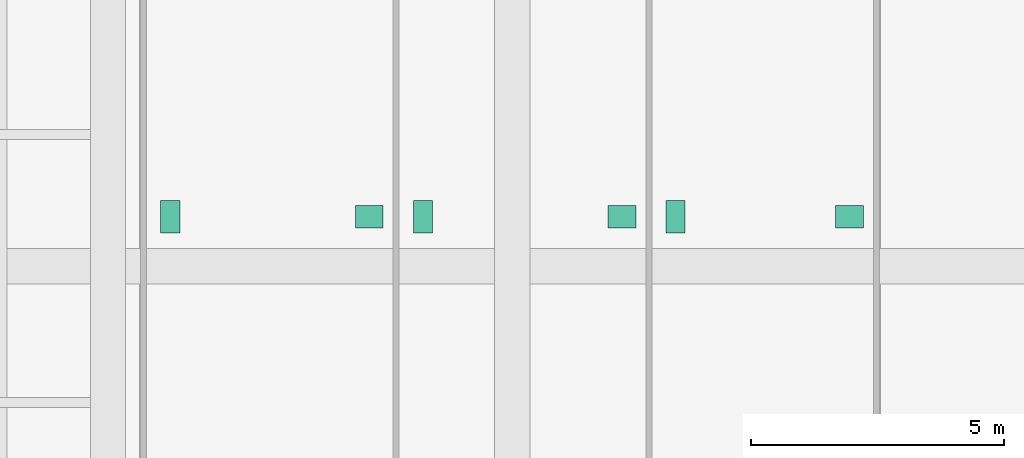
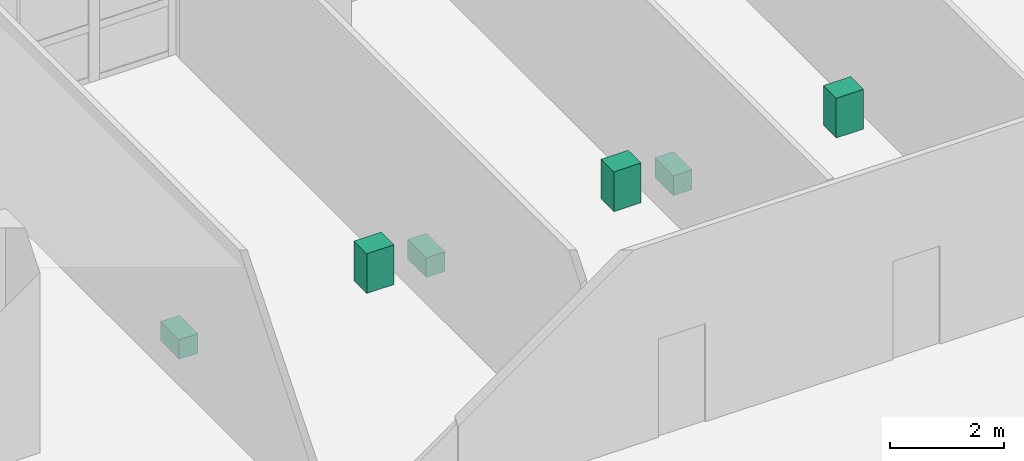
# One storey, part 15 of 15: 6 sanitary terminals.
"""IFC4 building model written with IfcOpenShell, lengths in metres."""

from ifc_helpers import new_model, si_unit, direction, frame, origin, origin_2d, place, context, subcontext, project, spatial, rectangle, extrude, material, type_object, element, save


model = new_model("IFC4")

# Units and contexts
model_context = context("Model", 3, precision=1e-05, world=origin(), true_north=direction((0.0, 1.0)))
body_context = subcontext(model_context, "Body", "Model", "MODEL_VIEW")
ifc_project = project(units=[si_unit("LENGTHUNIT", "METRE"), si_unit("AREAUNIT", "SQUARE_METRE"), si_unit("VOLUMEUNIT", "CUBIC_METRE"), si_unit("PLANEANGLEUNIT", "RADIAN"), si_unit("MASSUNIT", "GRAM", prefix="KILO")], contexts=[model_context])

# Site, building, storey
site_placement = place(None, origin())
site = spatial("IfcSite", under=ifc_project, at=site_placement, CompositionType="ELEMENT")
building_placement = place(site_placement, origin())
building = spatial("IfcBuilding", under=site, at=building_placement, Name="Kranthara Brick Stack", CompositionType="ELEMENT")
storey_placement = place(building_placement, frame((0.0, 0.0, 9.89990234375)))
storey = spatial("IfcBuildingStorey", under=building, at=storey_placement, Name="L02", CompositionType="ELEMENT", Elevation=9.89990234375)

# Sanitary terminals
ifc_material_1 = material(Name="Vitreous china sanitary porcelain", Category="other")
sanitary_terminal_type_1 = type_object("IfcSanitaryTerminalType", Name="SAN-BASIN", PredefinedType="WASHHANDBASIN", material=ifc_material_1)
for number, where, z_axis, x_axis, name in (
    (1, (17.969970703125, 44.875, 0.0), (0.0, 0.0, 1.0), (1.0, 0.0, 0.0), "L02 Washbasin 7"),
    (2, (22.969970703125, 44.875, 0.0), (0.0, 0.0, 1.0), (1.0, 0.0, 0.0), "L02 Washbasin 8"),
    (3, (27.469970703125, 44.875, 0.0), (0.0, 0.0, 1.0), (1.0, 0.0, 0.0), "L02 Washbasin 9"),
):
    element("IfcSanitaryTerminal", number, at=place(storey_placement, frame(where, z_axis=z_axis, x_axis=x_axis)), inside=storey, type_object=sanitary_terminal_type_1, Name=name, PredefinedType="WASHHANDBASIN", context=body_context, shape_type="SweptSolid", body=[
        extrude(rectangle(XDim=0.550048828125, YDim=0.449951171875, at=origin_2d()), origin(), (0.0, 0.0, 1.0), 0.85009765625),
    ])
ifc_material_2 = material(Name="Vitreous china sanitary porcelain", Category="other")
sanitary_terminal_type_2 = type_object("IfcSanitaryTerminalType", Name="SAN-WC-PAN", PredefinedType="TOILETPAN", material=ifc_material_2)
for number, where, z_axis, x_axis, name in (
    (4, (14.030029296875, 44.875, 0.000244140625), (0.0, 0.0, 1.0), (1.0, 0.0, 0.0), "L02 WC Pan 7"),
    (5, (19.030029296875, 44.875, 0.000244140625), (0.0, 0.0, 1.0), (1.0, 0.0, 0.0), "L02 WC Pan 8"),
    (6, (24.030029296875, 44.875, 0.000244140625), (0.0, 0.0, 1.0), (1.0, 0.0, 0.0), "L02 WC Pan 9"),
):
    element("IfcSanitaryTerminal", number, at=place(storey_placement, frame(where, z_axis=z_axis, x_axis=x_axis)), inside=storey, type_object=sanitary_terminal_type_2, Name=name, PredefinedType="TOILETPAN", context=body_context, shape_type="SweptSolid", body=[
        extrude(rectangle(XDim=0.3798828125, YDim=0.64990234375, at=origin_2d()), origin(), (0.0, 0.0, 1.0), 0.419921875),
    ])

save(model, "model.ifc")
